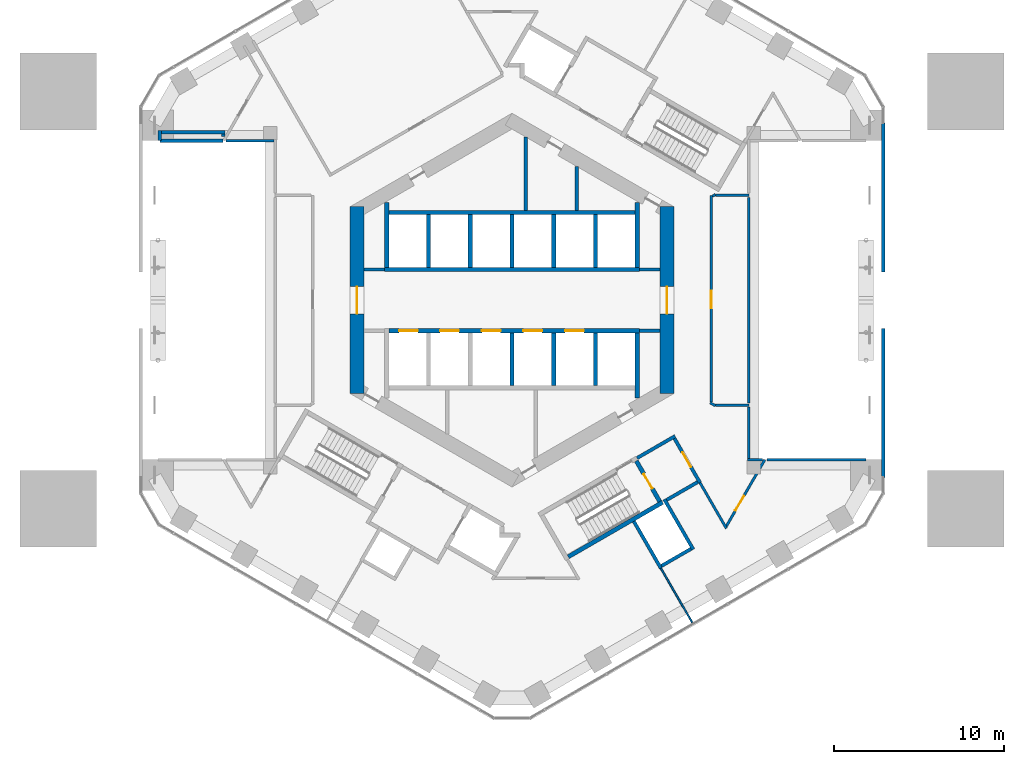
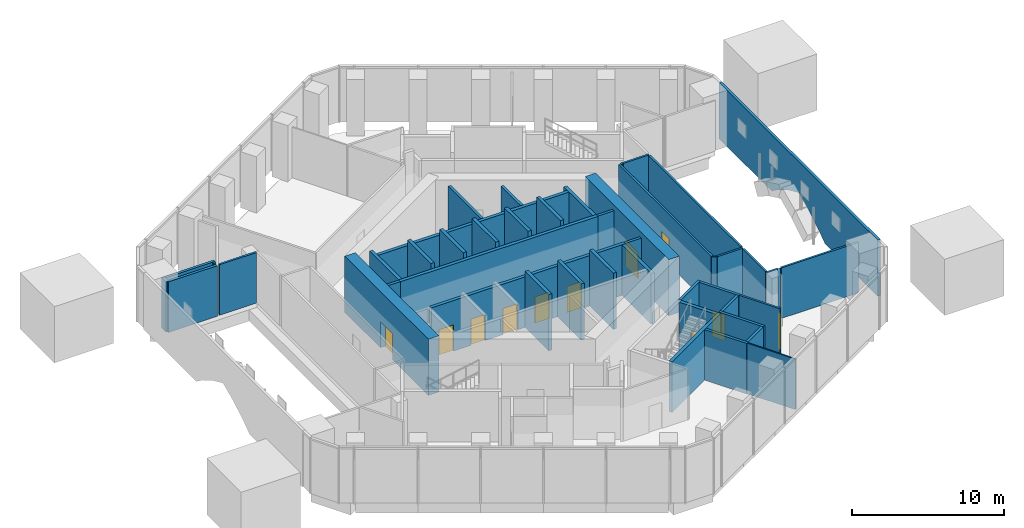
# One storey, part 10 of 14: 47 walls, 11 doors, 11 openings.
"""IFC4 building model written with IfcOpenShell, lengths in metres."""

import ifcopenshell
import ifcopenshell.guid

model = None  # the IFC model being written
_history = None  # IfcOwnerHistory: only IFC2X3 demands one
_inside = {}  # id of a spatial element -> (the spatial element, [elements in it])
_under = {}  # id of a project, library or spatial element -> (it, [spatial elements below it])
_declared = {}  # id of a project -> (the project, [libraries it declares])
_typed = {}  # id of a type object -> (the type object, [elements of that type])
_made_of = {}  # id of a material, layer set ... -> (it, [elements and type objects made of it])


def new_model(schema):
    """Start an empty IFC model of exactly this schema.

    Asked for "IFC4X3", IfcOpenShell would pick the latest addendum, in which some entities
    have other attributes; the version numbers below select the first issue.
    IFC2X3 requires an IfcOwnerHistory on every rooted entity: one is made here for all.
    """
    global model, _history
    if schema == "IFC4X3":
        model = ifcopenshell.file(schema_version=(4, 3, 0, 0))
    else:
        model = ifcopenshell.file(schema=schema)
    _inside.clear()
    _under.clear()
    _declared.clear()
    _typed.clear()
    _made_of.clear()
    _history = None
    if model.schema == "IFC2X3":
        org = make("IfcOrganization", Name="unknown")
        user = make(
            "IfcPersonAndOrganization",
            ThePerson=make("IfcPerson", FamilyName="unknown"),
            TheOrganization=org,
        )
        app = make(
            "IfcApplication",
            ApplicationDeveloper=org,
            Version="unknown",
            ApplicationFullName="unknown",
            ApplicationIdentifier="unknown",
        )
        _history = make(
            "IfcOwnerHistory",
            OwningUser=user,
            OwningApplication=app,
            ChangeAction="ADDED",
            CreationDate=0,
        )
    return model


def make(cls, **values):
    """One entity of the class cls with the attributes given. An attribute that is None is left unset."""
    return model.create_entity(
        cls, **{name: value for name, value in values.items() if value is not None}
    )


def rooted(cls, **values):
    """An entity with a GlobalId (a new one), such as an element, a storey or a relation."""
    return make(cls, GlobalId=ifcopenshell.guid.new(), OwnerHistory=_history, **values)


def si_unit(unit_type, name, prefix=None):
    """IfcSIUnit, for example si_unit("LENGTHUNIT", "METRE", prefix="MILLI")."""
    return make("IfcSIUnit", UnitType=unit_type, Prefix=prefix, Name=name)


def assignment(units):
    """IfcUnitAssignment: the units of a project."""
    return None if units is None else make("IfcUnitAssignment", Units=units)


def point(xyz):
    """IfcCartesianPoint."""
    return None if xyz is None else make("IfcCartesianPoint", Coordinates=xyz)


def direction(xyz):
    """IfcDirection."""
    return None if xyz is None else make("IfcDirection", DirectionRatios=xyz)


def frame(location, z_axis=None, x_axis=None):
    """IfcAxis2Placement3D, a coordinate frame: its origin and axes. An axis left out is left unset."""
    return make(
        "IfcAxis2Placement3D",
        Location=point(location),
        Axis=direction(z_axis),
        RefDirection=direction(x_axis),
    )


def frame_2d(location, x_axis=None):
    """IfcAxis2Placement2D, a coordinate frame in the plane: its origin and x axis."""
    return make(
        "IfcAxis2Placement2D", Location=point(location), RefDirection=direction(x_axis)
    )


def origin():
    """The frame at (0, 0, 0) with its axes left unset."""
    return frame((0.0, 0.0, 0.0))


def place(relative_to, where):
    """IfcLocalPlacement: puts the frame where relative to a parent placement (None: the world)."""
    return make(
        "IfcLocalPlacement", PlacementRelTo=relative_to, RelativePlacement=where
    )


def context(
    kind, dimensions, precision=None, world=None, true_north=None, identifier=None
):
    """IfcGeometricRepresentationContext, for example the 3D "Model" context."""
    return make(
        "IfcGeometricRepresentationContext",
        ContextIdentifier=identifier,
        ContextType=kind,
        CoordinateSpaceDimension=dimensions,
        Precision=precision,
        WorldCoordinateSystem=world,
        TrueNorth=true_north,
    )


def subcontext(parent, identifier, kind, view, scale=None):
    """IfcGeometricRepresentationSubContext, for example "Body" below "Model"."""
    return make(
        "IfcGeometricRepresentationSubContext",
        ContextIdentifier=identifier,
        ContextType=kind,
        ParentContext=parent,
        TargetScale=scale,
        TargetView=view,
    )


def project(units=None, contexts=None):
    """IfcProject with its units and contexts."""
    return rooted(
        "IfcProject",
        Name="project",
        RepresentationContexts=contexts,
        UnitsInContext=assignment(units),
    )


def spatial(cls, under=None, at=None, **own):
    """A site, building, storey or space (cls), placed at a placement, below another one or the project."""
    s = rooted(cls, ObjectPlacement=at, **own)
    if under is not None:
        _under.setdefault(under.id(), (under, []))[1].append(s)
    return s


def polyline(points):
    """IfcPolyline through the points."""
    return make("IfcPolyline", Points=[point(p) for p in points])


def profile(cls, at=None, kind="AREA", **sizes):
    """A parametric profile (cls). Its sizes go by their IFC names, for example OverallWidth=200.0."""
    return make(cls, ProfileType=kind, Position=at, **sizes)


def rectangle(**sizes):
    """IfcRectangleProfileDef."""
    return profile("IfcRectangleProfileDef", **sizes)


def outline(outer, holes=None, kind="AREA"):
    """IfcArbitraryClosedProfileDef: a profile drawn as a closed curve; with holes, ...WithVoids."""
    if holes is None:
        return make("IfcArbitraryClosedProfileDef", ProfileType=kind, OuterCurve=outer)
    return make(
        "IfcArbitraryProfileDefWithVoids",
        ProfileType=kind,
        OuterCurve=outer,
        InnerCurves=holes,
    )


def extrude(swept, where, along, depth):
    """IfcExtrudedAreaSolid: the profile swept, set in the frame where, extruded along a direction by depth."""
    return make(
        "IfcExtrudedAreaSolid",
        SweptArea=swept,
        Position=where,
        ExtrudedDirection=direction(along),
        Depth=depth,
    )


def shape(context_of_items, identifier, shape_type, items):
    """IfcShapeRepresentation: the items that make up one representation, for example the "Body"."""
    return make(
        "IfcShapeRepresentation",
        ContextOfItems=context_of_items,
        RepresentationIdentifier=identifier,
        RepresentationType=shape_type,
        Items=items,
    )


def material(Name=None, Category=None):
    """IfcMaterial."""
    return make("IfcMaterial", Name=Name, Category=Category)


def layer(
    of_material, thickness, ventilated=None, Name=None, Category=None, Priority=None
):
    """IfcMaterialLayer: one layer of a wall or slab, of a material (None: an air gap)."""
    return make(
        "IfcMaterialLayer",
        Material=of_material,
        LayerThickness=thickness,
        IsVentilated=ventilated,
        Name=Name,
        Category=Category,
        Priority=Priority,
    )


def layer_set(layers, Name=None):
    """IfcMaterialLayerSet."""
    return make("IfcMaterialLayerSet", MaterialLayers=layers, LayerSetName=Name)


def made_of(thing, what):
    """Note that an element or type object is made of a material, layer set ...; save() writes the relation."""
    if what is not None:
        _made_of.setdefault(what.id(), (what, []))[1].append(thing)
    return thing


def type_object(cls, material=None, **own):
    """A type object (cls), such as IfcWallType, which elements share."""
    return made_of(rooted(cls, **own), material)


def element(
    cls,
    number,
    at=None,
    inside=None,
    cuts=None,
    type_object=None,
    material=None,
    context=None,
    identifier="Body",
    shape_type=None,
    held_by="IfcProductDefinitionShape",
    body=None,
    shapes=None,
    **own,
):
    """One element of the class cls, such as IfcWall. Its Tag is "e" and its number.

    at: its placement. inside: the storey or other place that contains it. cuts: it is an
    opening in that element (IfcRelVoidsElement). A single representation is given by context,
    identifier, shape_type and body (its items); several are given by shapes. held_by: the class
    of the entity that holds the representations. save() writes the other relations.
    """
    e = rooted(cls, Tag="e%d" % number, ObjectPlacement=at, **own)
    if body is not None:
        shapes = [shape(context, identifier, shape_type, body)]
    if shapes is not None:
        e.Representation = make(held_by, Representations=shapes)
    if inside is not None:
        _inside.setdefault(inside.id(), (inside, []))[1].append(e)
    if cuts is not None:
        rooted(
            "IfcRelVoidsElement", RelatingBuildingElement=cuts, RelatedOpeningElement=e
        )
    if type_object is not None:
        _typed.setdefault(type_object.id(), (type_object, []))[1].append(e)
    return made_of(e, material)


def fill(opening, filler):
    """IfcRelFillsElement: the door or window that sits in an opening."""
    return rooted(
        "IfcRelFillsElement",
        RelatingOpeningElement=opening,
        RelatedBuildingElement=filler,
    )


def aggregate(whole, parts):
    """IfcRelAggregates: a whole, such as a stair, and the parts it consists of."""
    return rooted("IfcRelAggregates", RelatingObject=whole, RelatedObjects=parts)


def save(model, path):
    """Write the relations noted so far, then the file.

    IfcRelAggregates (storeys below a building ...), IfcRelContainedInSpatialStructure (elements
    in a storey), IfcRelDefinesByType, IfcRelAssociatesMaterial and IfcRelDeclares: one each for
    every whole, place, type object, material and project.
    """
    for whole, parts in _under.values():
        aggregate(whole, parts)
    for where, things in _inside.values():
        rooted(
            "IfcRelContainedInSpatialStructure",
            RelatedElements=things,
            RelatingStructure=where,
        )
    for kind, things in _typed.values():
        rooted("IfcRelDefinesByType", RelatedObjects=things, RelatingType=kind)
    for what, things in _made_of.values():
        rooted("IfcRelAssociatesMaterial", RelatedObjects=things, RelatingMaterial=what)
    for by, libraries in _declared.values():
        rooted("IfcRelDeclares", RelatingContext=by, RelatedDefinitions=libraries)
    model.write(path)


model = new_model("IFC4")

# Units and contexts
model_context = context("Model", 3, precision=1e-05, world=origin(), true_north=direction((0.0, 1.0)))
body_context = subcontext(model_context, "Body", "Model", "MODEL_VIEW")
ifc_project = project(units=[si_unit("LENGTHUNIT", "METRE"), si_unit("AREAUNIT", "SQUARE_METRE"), si_unit("VOLUMEUNIT", "CUBIC_METRE"), si_unit("PLANEANGLEUNIT", "RADIAN"), si_unit("MASSUNIT", "GRAM", prefix="KILO")], contexts=[model_context])

# Site, building, storey
site_placement = place(None, origin())
site = spatial("IfcSite", under=ifc_project, at=site_placement, CompositionType="ELEMENT")
building_placement = place(site_placement, origin())
building = spatial("IfcBuilding", under=site, at=building_placement, Name="Ayvan Gate Tower", CompositionType="ELEMENT")
storey_placement = place(building_placement, frame((0.0, 0.0, 16.0)))
storey = spatial("IfcBuildingStorey", under=building, at=storey_placement, Name="L03", CompositionType="ELEMENT", Elevation=16.0)

# Wall
ifc_material_1 = material(Name="Pale metal cladding on insulated wall")
ifc_layer_1 = layer(ifc_material_1, 0.199951171875)
ifc_layer_set_1 = layer_set([ifc_layer_1], Name="Pale metal cladding on insulated wall")
wall_type_1 = type_object("IfcWallType", Name="Arch tympanum wall 200", PredefinedType="SOLIDWALL", material=ifc_layer_set_1)
wall_1_placement = place(storey_placement, frame((21.6845703125, -10.399658203125, 4.5), z_axis=(-1.0, 0.0, 0.0), x_axis=(0.0, 1.0, 0.0)))
element("IfcWall", 1, at=wall_1_placement, inside=storey, type_object=wall_type_1, Name="Arch tympanum wall L03 face 0", PredefinedType="SOLIDWALL", context=body_context, shape_type="SweptSolid", body=[
    extrude(outline(polyline([(0.0, 0.0), (20.79931640625, 0.0), (20.79931640625, 4.5), (13.9052734375, 4.5), (13.04931640625, 3.8779296875), (11.758544921875, 3.123291015625), (10.399658203125, 2.5), (9.040771484375, 3.123291015625), (7.75, 3.8779296875), (6.89404296875, 4.5), (0.0, 4.5), (0.0, 0.0)])), origin(), (0.0, 0.0, -1.0), 0.199951171875),
])

# Wall, opening, door
ifc_material_2 = material(Name="Concrete C70/85", Category="concrete")
ifc_layer_2 = layer(ifc_material_2, 0.800048828125)
ifc_layer_set_2 = layer_set([ifc_layer_2], Name="Concrete C70/85")
wall_type_2 = type_object("IfcWallType", Name="Core wall 800 C70/85", PredefinedType="SHEAR", material=ifc_layer_set_2)
wall_2_placement = place(storey_placement, frame((9.10009765625, -5.48486328125, 0.0), z_axis=(0.0, 0.0, 1.0), x_axis=(0.0, 1.0, 0.0)))
wall_2 = element("IfcWall", 2, at=wall_2_placement, inside=storey, type_object=wall_type_2, Name="CORE-L03-0", PredefinedType="SHEAR", context=body_context, shape_type="SweptSolid", body=[
    extrude(rectangle(XDim=10.9697265625, YDim=0.800048828125, at=frame_2d((5.48486328125, 0.0))), origin(), (0.0, 0.0, 1.0), 4.5),
])
opening_1_placement = place(wall_2_placement, frame((4.684814453125, 0.0, 0.0)))
opening_1 = element("IfcOpeningElement", 3, at=opening_1_placement, cuts=wall_2, Name="Opening L03-D32", PredefinedType="OPENING", context=body_context, shape_type="SweptSolid", body=[
    extrude(rectangle(XDim=1.60009765625, YDim=2.10009765625, at=frame_2d((0.800048828125, 1.050048828125))), frame((0.0, 0.409912109375, 0.0), z_axis=(0.0, -1.0, 0.0), x_axis=(1.0, 0.0, 0.0)), (0.0, 0.0, 1.0), 0.820068359375),
])
ifc_material_3 = material(Name="Timber door leaf", Category="wood")
door_type_1 = type_object("IfcDoorType", Name="DT-1600", OperationType="NOTDEFINED", PredefinedType="DOOR", material=ifc_material_3)
door_1_placement = place(opening_1_placement, origin())
door_1 = element("IfcDoor", 4, at=door_1_placement, inside=storey, type_object=door_type_1, Name="CD-L03-32", OperationType="SINGLE_SWING_LEFT", OverallHeight=2.10009765625, OverallWidth=1.60009765625, PredefinedType="DOOR", context=body_context, shape_type="SweptSolid", body=[
    extrude(rectangle(XDim=1.60009765625, YDim=2.10009765625, at=frame_2d((0.800048828125, 1.050048828125))), frame((0.0, 0.02490234375, 0.0), z_axis=(0.0, -1.0, 0.0), x_axis=(1.0, 0.0, 0.0)), (0.0, 0.0, 1.0), 0.050048828125),
])
fill(opening_1, door_1)

wall_3_placement = place(storey_placement, frame((-9.10009765625, 5.48486328125, 0.0), z_axis=(0.0, 0.0, 1.0), x_axis=(0.0, -1.0, 0.0)))
wall_3 = element("IfcWall", 5, at=wall_3_placement, inside=storey, type_object=wall_type_2, Name="CORE-L03-3", PredefinedType="SHEAR", context=body_context, shape_type="SweptSolid", body=[
    extrude(rectangle(XDim=10.9697265625, YDim=0.800048828125, at=frame_2d((5.48486328125, 0.0))), origin(), (0.0, 0.0, 1.0), 4.5),
])
opening_2_placement = place(wall_3_placement, frame((4.684814453125, 0.0, 0.0)))
opening_2 = element("IfcOpeningElement", 6, at=opening_2_placement, cuts=wall_3, Name="Opening L03-D33", PredefinedType="OPENING", context=body_context, shape_type="SweptSolid", body=[
    extrude(rectangle(XDim=1.60009765625, YDim=2.10009765625, at=frame_2d((0.800048828125, 1.050048828125))), frame((0.0, 0.409912109375, 0.0), z_axis=(0.0, -1.0, 0.0), x_axis=(1.0, 0.0, 0.0)), (0.0, 0.0, 1.0), 0.820068359375),
])
door_2_placement = place(opening_2_placement, origin())
door_2 = element("IfcDoor", 7, at=door_2_placement, inside=storey, type_object=door_type_1, Name="CD-L03-33", OperationType="SINGLE_SWING_RIGHT", OverallHeight=2.10009765625, OverallWidth=1.60009765625, PredefinedType="DOOR", context=body_context, shape_type="SweptSolid", body=[
    extrude(rectangle(XDim=1.60009765625, YDim=2.10009765625, at=frame_2d((0.800048828125, 1.050048828125))), frame((0.0, 0.02490234375, 0.0), z_axis=(0.0, -1.0, 0.0), x_axis=(1.0, 0.0, 0.0)), (0.0, 0.0, 1.0), 0.050048828125),
])
fill(opening_2, door_2)

# Walls
ifc_material_4 = material(Name="Plasterboard on steel stud", Category="steel")
ifc_layer_3 = layer(ifc_material_4, 0.14990234375)
ifc_layer_set_3 = layer_set([ifc_layer_3], Name="Plasterboard on steel stud")
wall_type_3 = type_object("IfcWallType", Name="WT-CORR-150", PredefinedType="PARTITIONING", material=ifc_layer_set_3)
wall_4_placement = place(storey_placement, frame((-13.97509765625, 9.367919921875, 0.0), z_axis=(0.0, 0.0, 1.0), x_axis=(-1.0, 0.0, 0.0)))
element("IfcWall", 8, at=wall_4_placement, inside=storey, type_object=wall_type_3, Name="IW-L03-014", PredefinedType="PARTITIONING", context=body_context, shape_type="SweptSolid", body=[
    extrude(rectangle(XDim=2.804931640625, YDim=0.14990234375, at=frame_2d((1.40234375, 0.0))), origin(), (0.0, 0.0, 1.0), 4.050048828125),
])
wall_5_placement = place(storey_placement, frame((11.635009765625, -6.024658203125, 0.0), z_axis=(0.0, 0.0, 1.0), x_axis=(0.866115353951, -0.499844169366, 0.0)))
element("IfcWall", 9, at=wall_5_placement, inside=storey, type_object=wall_type_3, Name="IW-L03-100", PredefinedType="PARTITIONING", context=body_context, shape_type="SweptSolid", body=[
    extrude(rectangle(XDim=0.34716796875, YDim=0.14990234375, at=frame_2d((0.173583984375, 0.0))), origin(), (0.0, 0.0, 1.0), 4.050048828125),
])

# Wall, opening, door
wall_6_placement = place(storey_placement, frame((11.699951171875, 6.13720703125, 0.0), z_axis=(0.0, 0.0, 1.0), x_axis=(0.0, -1.0, 0.0)))
wall_6 = element("IfcWall", 10, at=wall_6_placement, inside=storey, type_object=wall_type_3, Name="IW-L03-101", PredefinedType="PARTITIONING", context=body_context, shape_type="SweptSolid", body=[
    extrude(rectangle(XDim=12.12451171875, YDim=0.14990234375, at=frame_2d((6.062255859375, 0.0))), origin(), (0.0, 0.0, 1.0), 4.050048828125),
])
opening_3_placement = place(wall_6_placement, frame((5.599609375, 0.0, 0.0)))
opening_3 = element("IfcOpeningElement", 11, at=opening_3_placement, cuts=wall_6, Name="Opening L03-D24", PredefinedType="OPENING", context=body_context, shape_type="SweptSolid", body=[
    extrude(rectangle(XDim=1.0, YDim=2.10009765625, at=frame_2d((0.5, 1.050048828125))), frame((0.0, 0.0849609375, 0.0), z_axis=(0.0, -1.0, 0.0), x_axis=(1.0, 0.0, 0.0)), (0.0, 0.0, 1.0), 0.169921875),
])
door_type_2 = type_object("IfcDoorType", Name="DT-1000", OperationType="NOTDEFINED", PredefinedType="DOOR", material=ifc_material_3)
door_3_placement = place(opening_3_placement, origin())
door_3 = element("IfcDoor", 12, at=door_3_placement, inside=storey, type_object=door_type_2, Name="ID-L03-024", OperationType="SINGLE_SWING_LEFT", OverallHeight=2.10009765625, OverallWidth=1.0, PredefinedType="DOOR", context=body_context, shape_type="SweptSolid", body=[
    extrude(rectangle(XDim=1.0, YDim=2.10009765625, at=frame_2d((0.5, 1.050048828125))), frame((0.0, 0.02490234375, 0.0), z_axis=(0.0, -1.0, 0.0), x_axis=(1.0, 0.0, 0.0)), (0.0, 0.0, 1.0), 0.050048828125),
])
fill(opening_3, door_3)

# Walls
wall_7_placement = place(storey_placement, frame((11.94580078125, -6.160888671875, 0.0), z_axis=(0.0, 0.0, 1.0), x_axis=(1.0, 0.0, 0.0)))
element("IfcWall", 13, at=wall_7_placement, inside=storey, type_object=wall_type_3, Name="IW-L03-102", PredefinedType="PARTITIONING", context=body_context, shape_type="SweptSolid", body=[
    extrude(rectangle(XDim=1.9541015625, YDim=0.14990234375, at=frame_2d((0.97705078125, 0.0))), origin(), (0.0, 0.0, 1.0), 4.050048828125),
])
wall_8_placement = place(storey_placement, frame((11.935791015625, 6.1982421875, 0.0), z_axis=(0.0, 0.0, 1.0), x_axis=(-0.866103179807, -0.499865263774, 0.0)))
element("IfcWall", 14, at=wall_8_placement, inside=storey, type_object=wall_type_3, Name="IW-L03-103", PredefinedType="PARTITIONING", context=body_context, shape_type="SweptSolid", body=[
    extrude(rectangle(XDim=0.197265625, YDim=0.14990234375, at=frame_2d((0.0986328125, 0.0))), origin(), (0.0, 0.0, 1.0), 4.050048828125),
])
wall_9_placement = place(storey_placement, frame((12.586669921875, -13.40087890625, 0.0), z_axis=(0.0, 0.0, 1.0), x_axis=(-0.499952049853, 0.866053086045, 0.0)))
element("IfcWall", 15, at=wall_9_placement, inside=storey, type_object=wall_type_3, Name="IW-L03-105", PredefinedType="PARTITIONING", context=body_context, shape_type="SweptSolid", body=[
    extrude(rectangle(XDim=3.098876953125, YDim=0.14990234375, at=frame_2d((1.54931640625, 0.0))), origin(), (0.0, 0.0, 1.0), 4.050048828125),
])
wall_10_placement = place(storey_placement, frame((13.824951171875, -9.367919921875, 0.0), z_axis=(0.0, 0.0, 1.0), x_axis=(1.0, 0.0, 0.0)))
element("IfcWall", 16, at=wall_10_placement, inside=storey, type_object=wall_type_3, Name="IW-L03-108", PredefinedType="PARTITIONING", context=body_context, shape_type="SweptSolid", body=[
    extrude(rectangle(XDim=0.876708984375, YDim=0.14990234375, at=frame_2d((0.4384765625, 0.0))), origin(), (0.0, 0.0, 1.0), 4.050048828125),
])
wall_11_placement = place(storey_placement, frame((13.89990234375, -6.28076171875, 0.0), z_axis=(0.0, 0.0, 1.0), x_axis=(0.0, -1.0, 0.0)))
element("IfcWall", 17, at=wall_11_placement, inside=storey, type_object=wall_type_3, Name="IW-L03-109", PredefinedType="PARTITIONING", context=body_context, shape_type="SweptSolid", body=[
    extrude(rectangle(XDim=3.01220703125, YDim=0.14990234375, at=frame_2d((1.506103515625, 0.0))), origin(), (0.0, 0.0, 1.0), 4.050048828125),
])
wall_12_placement = place(storey_placement, frame((13.89990234375, 6.040771484375, 0.0), z_axis=(0.0, 0.0, 1.0), x_axis=(0.0, -1.0, 0.0)))
element("IfcWall", 18, at=wall_12_placement, inside=storey, type_object=wall_type_3, Name="IW-L03-110", PredefinedType="PARTITIONING", context=body_context, shape_type="SweptSolid", body=[
    extrude(rectangle(XDim=12.08154296875, YDim=0.14990234375, at=frame_2d((6.040771484375, 0.0))), origin(), (0.0, 0.0, 1.0), 4.050048828125),
])
wall_13_placement = place(storey_placement, frame((13.89990234375, 6.160888671875, 0.0), z_axis=(0.0, 0.0, 1.0), x_axis=(-1.0, 0.0, 0.0)))
element("IfcWall", 19, at=wall_13_placement, inside=storey, type_object=wall_type_3, Name="IW-L03-111", PredefinedType="PARTITIONING", context=body_context, shape_type="SweptSolid", body=[
    extrude(rectangle(XDim=1.9541015625, YDim=0.14990234375, at=frame_2d((0.97705078125, 0.0))), origin(), (0.0, 0.0, 1.0), 4.050048828125),
])

# Wall, opening, door
wall_14_placement = place(storey_placement, frame((14.840087890625, -9.367919921875, 0.0), z_axis=(0.0, 0.0, 1.0), x_axis=(-0.49999598783, -0.866027720199, 0.0)))
wall_14 = element("IfcWall", 20, at=wall_14_placement, inside=storey, type_object=wall_type_3, Name="IW-L03-113", PredefinedType="PARTITIONING", context=body_context, shape_type="SweptSolid", body=[
    extrude(rectangle(XDim=4.5068359375, YDim=0.14990234375, at=frame_2d((2.25341796875, 0.0))), origin(), (0.0, 0.0, 1.0), 4.050048828125),
])
opening_4_placement = place(wall_14_placement, frame((2.453369140625, 0.0, 0.0)))
opening_4 = element("IfcOpeningElement", 21, at=opening_4_placement, cuts=wall_14, Name="Opening L03-D22", PredefinedType="OPENING", context=body_context, shape_type="SweptSolid", body=[
    extrude(rectangle(XDim=1.0, YDim=2.10009765625, at=frame_2d((0.5, 1.050048828125))), frame((0.0, 0.0849609375, 0.0), z_axis=(0.0, -1.0, 0.0), x_axis=(1.0, 0.0, 0.0)), (0.0, 0.0, 1.0), 0.169921875),
])
door_4_placement = place(opening_4_placement, origin())
door_4 = element("IfcDoor", 22, at=door_4_placement, inside=storey, type_object=door_type_2, Name="ID-L03-022", OperationType="SINGLE_SWING_LEFT", OverallHeight=2.10009765625, OverallWidth=1.0, PredefinedType="DOOR", context=body_context, shape_type="SweptSolid", body=[
    extrude(rectangle(XDim=1.0, YDim=2.10009765625, at=frame_2d((0.5, 1.050048828125))), frame((0.0, 0.02490234375, 0.0), z_axis=(0.0, -1.0, 0.0), x_axis=(1.0, 0.0, 0.0)), (0.0, 0.0, 1.0), 0.050048828125),
])
fill(opening_4, door_4)

# Walls
wall_15_placement = place(storey_placement, frame((14.9599609375, -9.367919921875, 0.0), z_axis=(0.0, 0.0, 1.0), x_axis=(1.0, 0.0, 0.0)))
element("IfcWall", 23, at=wall_15_placement, inside=storey, type_object=wall_type_3, Name="IW-L03-114", PredefinedType="PARTITIONING", context=body_context, shape_type="SweptSolid", body=[
    extrude(rectangle(XDim=5.82470703125, YDim=0.14990234375, at=frame_2d((2.912353515625, 0.0))), origin(), (0.0, 0.0, 1.0), 4.050048828125),
])
ifc_layer_4 = layer(ifc_material_4, 0.10009765625)
ifc_layer_set_4 = layer_set([ifc_layer_4], Name="Plasterboard on steel stud")
wall_type_4 = type_object("IfcWallType", Name="WT-PART-100", PredefinedType="PARTITIONING", material=ifc_layer_set_4)
wall_16_placement = place(storey_placement, frame((8.739990234375, -15.73828125, 0.0), z_axis=(0.0, 0.0, 1.0), x_axis=(0.500026738915, -0.866009965514, 0.0)))
element("IfcWall", 24, at=wall_16_placement, inside=storey, type_object=wall_type_4, Name="IW-L03-091", PredefinedType="PARTITIONING", context=body_context, shape_type="SweptSolid", body=[
    extrude(rectangle(XDim=3.680908203125, YDim=0.10009765625, at=frame_2d((1.84033203125, 0.0))), origin(), (0.0, 0.0, 1.0), 4.050048828125),
])
ifc_layer_5 = layer(ifc_material_4, 0.199951171875)
ifc_layer_set_5 = layer_set([ifc_layer_5], Name="Plasterboard on steel stud")
wall_type_5 = type_object("IfcWallType", Name="WT-PLUMB-200", PredefinedType="PLUMBINGWALL", material=ifc_layer_set_5)
wall_17_placement = place(storey_placement, frame((-20.6845703125, 9.367919921875, 0.0), z_axis=(0.0, 0.0, 1.0), x_axis=(0.0, 1.0, 0.0)))
element("IfcWall", 25, at=wall_17_placement, inside=storey, type_object=wall_type_5, Name="IW-L03-001", PredefinedType="PLUMBINGWALL", context=body_context, shape_type="SweptSolid", body=[
    extrude(rectangle(XDim=0.60009765625, YDim=0.199951171875, at=frame_2d((0.300048828125, 0.0))), origin(), (0.0, 0.0, 1.0), 4.050048828125),
])
wall_18_placement = place(storey_placement, frame((-20.584716796875, 9.867919921875, 0.0), z_axis=(0.0, 0.0, 1.0), x_axis=(1.0, 0.0, 0.0)))
element("IfcWall", 26, at=wall_18_placement, inside=storey, type_object=wall_type_5, Name="IW-L03-002", PredefinedType="PLUMBINGWALL", context=body_context, shape_type="SweptSolid", body=[
    extrude(rectangle(XDim=3.736083984375, YDim=0.199951171875, at=frame_2d((1.8681640625, 0.0))), origin(), (0.0, 0.0, 1.0), 4.050048828125),
])
wall_19_placement = place(storey_placement, frame((-16.968505859375, 9.367919921875, 0.0), z_axis=(0.0, 0.0, 1.0), x_axis=(-1.0, 0.0, 0.0)))
element("IfcWall", 27, at=wall_19_placement, inside=storey, type_object=wall_type_5, Name="IW-L03-003", PredefinedType="PLUMBINGWALL", context=body_context, shape_type="SweptSolid", body=[
    extrude(rectangle(XDim=3.696044921875, YDim=0.199951171875, at=frame_2d((1.84814453125, 0.0))), origin(), (0.0, 0.0, 1.0), 4.050048828125),
])
wall_20_placement = place(storey_placement, frame((-16.948486328125, 9.767822265625, 0.0), z_axis=(0.0, 0.0, 1.0), x_axis=(0.0, -1.0, 0.0)))
element("IfcWall", 28, at=wall_20_placement, inside=storey, type_object=wall_type_5, Name="IW-L03-004", PredefinedType="PLUMBINGWALL", context=body_context, shape_type="SweptSolid", body=[
    extrude(rectangle(XDim=0.159912109375, YDim=0.199951171875, at=frame_2d((0.080078125, 0.0))), origin(), (0.0, 0.0, 1.0), 4.050048828125),
])
wall_21_placement = place(storey_placement, frame((8.740234375, -15.738525390625, 0.0), z_axis=(0.0, 0.0, 1.0), x_axis=(-0.500017526161, 0.866015284814, 0.0)))
element("IfcWall", 29, at=wall_21_placement, inside=storey, type_object=wall_type_5, Name="IW-L03-092", PredefinedType="PLUMBINGWALL", context=body_context, shape_type="SweptSolid", body=[
    extrude(rectangle(XDim=3.17529296875, YDim=0.199951171875, at=frame_2d((1.587646484375, 0.0))), origin(), (0.0, 0.0, 1.0), 4.050048828125),
])
wall_22_placement = place(storey_placement, frame((8.9453125, -11.694091796875, 0.0), z_axis=(0.0, 0.0, 1.0), x_axis=(0.500062241894, -0.865989465428, 0.0)))
element("IfcWall", 30, at=wall_22_placement, inside=storey, type_object=wall_type_5, Name="IW-L03-094", PredefinedType="PLUMBINGWALL", context=body_context, shape_type="SweptSolid", body=[
    extrude(rectangle(XDim=3.39990234375, YDim=0.199951171875, at=frame_2d((1.699951171875, 0.0))), origin(), (0.0, 0.0, 1.0), 4.050048828125),
])
wall_23_placement = place(storey_placement, frame((10.5087890625, -14.601806640625, 0.0), z_axis=(0.0, 0.0, 1.0), x_axis=(-0.866010750942, -0.50002537861, 0.0)))
element("IfcWall", 31, at=wall_23_placement, inside=storey, type_object=wall_type_5, Name="IW-L03-098", PredefinedType="PLUMBINGWALL", context=body_context, shape_type="SweptSolid", body=[
    extrude(rectangle(XDim=2.0, YDim=0.199951171875, at=frame_2d((1.0, 0.0))), origin(), (0.0, 0.0, 1.0), 4.050048828125),
])
ifc_layer_6 = layer(ifc_material_4, 0.199951171875)
ifc_layer_set_6 = layer_set([ifc_layer_6], Name="Plasterboard on steel stud")
wall_type_6 = type_object("IfcWallType", Name="WT-RATED-200", PredefinedType="PARTITIONING", material=ifc_layer_set_6)
wall_24_placement = place(storey_placement, frame((-8.699951171875, 1.800048828125, 0.0), z_axis=(0.0, 0.0, 1.0), x_axis=(1.0, 0.0, 0.0)))
element("IfcWall", 32, at=wall_24_placement, inside=storey, type_object=wall_type_6, Name="IW-L03-025", PredefinedType="PARTITIONING", context=body_context, shape_type="SweptSolid", body=[
    extrude(rectangle(XDim=1.22509765625, YDim=0.199951171875, at=frame_2d((0.612548828125, 0.0))), origin(), (0.0, 0.0, 1.0), 4.050048828125),
])
wall_25_placement = place(storey_placement, frame((0.800048828125, 9.583984375, 0.0), z_axis=(0.0, 0.0, 1.0), x_axis=(0.0, -1.0, 0.0)))
element("IfcWall", 33, at=wall_25_placement, inside=storey, type_object=wall_type_6, Name="IW-L03-064", PredefinedType="PARTITIONING", context=body_context, shape_type="SweptSolid", body=[
    extrude(rectangle(XDim=4.30908203125, YDim=0.199951171875, at=frame_2d((2.154541015625, 0.0))), origin(), (0.0, 0.0, 1.0), 4.050048828125),
])
wall_26_placement = place(storey_placement, frame((3.800048828125, 7.85205078125, 0.0), z_axis=(0.0, 0.0, 1.0), x_axis=(0.0, -1.0, 0.0)))
element("IfcWall", 34, at=wall_26_placement, inside=storey, type_object=wall_type_6, Name="IW-L03-075", PredefinedType="PARTITIONING", context=body_context, shape_type="SweptSolid", body=[
    extrude(rectangle(XDim=2.5771484375, YDim=0.199951171875, at=frame_2d((1.28857421875, 0.0))), origin(), (0.0, 0.0, 1.0), 4.050048828125),
])
wall_27_placement = place(storey_placement, frame((7.343994140625, -9.27001953125, 0.0), z_axis=(0.0, 0.0, 1.0), x_axis=(0.866005588531, 0.500034319456, 0.0)))
element("IfcWall", 35, at=wall_27_placement, inside=storey, type_object=wall_type_6, Name="IW-L03-085", PredefinedType="PARTITIONING", context=body_context, shape_type="SweptSolid", body=[
    extrude(rectangle(XDim=2.574951171875, YDim=0.199951171875, at=frame_2d((1.28759765625, 0.0))), origin(), (0.0, 0.0, 1.0), 4.050048828125),
])
for number, where, z_axis, x_axis, name in (
    (36, (7.474853515625, 1.800048828125, 0.0), (0.0, 0.0, 1.0), (1.0, 0.0, 0.0), "IW-L03-086"),
    (37, (8.699951171875, -1.800048828125, 0.0), (0.0, 0.0, 1.0), (-1.0, 0.0, 0.0), "IW-L03-093"),
):
    element("IfcWall", number, at=place(storey_placement, frame(where, z_axis=z_axis, x_axis=x_axis)), inside=storey, type_object=wall_type_6, Name=name, PredefinedType="PARTITIONING", context=body_context, shape_type="SweptSolid", body=[
        extrude(rectangle(XDim=1.22509765625, YDim=0.199951171875, at=frame_2d((0.612548828125, 0.0))), origin(), (0.0, 0.0, 1.0), 4.050048828125),
    ])

# Wall, opening, door
wall_28_placement = place(storey_placement, frame((9.537353515625, -8.119140625, 0.0), z_axis=(0.0, 0.0, 1.0), x_axis=(0.499990139034, -0.866031096941, 0.0)))
wall_28 = element("IfcWall", 38, at=wall_28_placement, inside=storey, type_object=wall_type_6, Name="IW-L03-096", PredefinedType="PARTITIONING", context=body_context, shape_type="SweptSolid", body=[
    extrude(rectangle(XDim=3.0, YDim=0.199951171875, at=frame_2d((1.5, 0.0))), origin(), (0.0, 0.0, 1.0), 4.050048828125),
])
opening_5_placement = place(wall_28_placement, frame((0.93505859375, 0.0, 0.0)))
opening_5 = element("IfcOpeningElement", 39, at=opening_5_placement, cuts=wall_28, Name="Opening L03-D15", PredefinedType="OPENING", context=body_context, shape_type="SweptSolid", body=[
    extrude(rectangle(XDim=1.0, YDim=2.10009765625, at=frame_2d((0.5, 1.050048828125))), frame((0.0, 0.10986328125, 0.0), z_axis=(0.0, -1.0, 0.0), x_axis=(1.0, 0.0, 0.0)), (0.0, 0.0, 1.0), 0.219970703125),
])
door_5_placement = place(opening_5_placement, origin())
door_5 = element("IfcDoor", 40, at=door_5_placement, inside=storey, type_object=door_type_2, Name="ID-L03-015", OperationType="SINGLE_SWING_RIGHT", OverallHeight=2.10009765625, OverallWidth=1.0, PredefinedType="DOOR", context=body_context, shape_type="SweptSolid", body=[
    extrude(rectangle(XDim=1.0, YDim=2.10009765625, at=frame_2d((0.5, 1.050048828125))), frame((0.0, 0.02490234375, 0.0), z_axis=(0.0, -1.0, 0.0), x_axis=(1.0, 0.0, 0.0)), (0.0, 0.0, 1.0), 0.050048828125),
])
fill(opening_5, door_5)

# Walls
wall_29_placement = place(storey_placement, frame((10.900634765625, -10.6806640625, 0.0), z_axis=(0.0, 0.0, 1.0), x_axis=(-0.866009402589, -0.500027713859, 0.0)))
element("IfcWall", 41, at=wall_29_placement, inside=storey, type_object=wall_type_6, Name="IW-L03-099", PredefinedType="PARTITIONING", context=body_context, shape_type="SweptSolid", body=[
    extrude(rectangle(XDim=2.10009765625, YDim=0.199951171875, at=frame_2d((1.050048828125, 0.0))), origin(), (0.0, 0.0, 1.0), 4.050048828125),
])
ifc_material_5 = material(Name="Concrete C50/60", Category="concrete")
ifc_layer_7 = layer(ifc_material_5, 0.25)
ifc_layer_set_7 = layer_set([ifc_layer_7], Name="Concrete C50/60")
wall_type_7 = type_object("IfcWallType", Name="WT-RC-250", PredefinedType="SHEAR", material=ifc_layer_set_7)
wall_30_placement = place(storey_placement, frame((-7.47509765625, 1.800048828125, 0.0), z_axis=(0.0, 0.0, 1.0), x_axis=(1.0, 0.0, 0.0)))
element("IfcWall", 42, at=wall_30_placement, inside=storey, type_object=wall_type_7, Name="IW-L03-029", PredefinedType="SHEAR", context=body_context, shape_type="SweptSolid", body=[
    extrude(rectangle(XDim=14.9501953125, YDim=0.25, at=frame_2d((7.47509765625, 0.0))), origin(), (0.0, 0.0, 1.0), 4.050048828125),
])
wall_31_placement = place(storey_placement, frame((-7.35009765625, 1.925048828125, 0.0), z_axis=(0.0, 0.0, 1.0), x_axis=(0.0, 1.0, 0.0)))
element("IfcWall", 43, at=wall_31_placement, inside=storey, type_object=wall_type_7, Name="IW-L03-031", PredefinedType="SHEAR", context=body_context, shape_type="SweptSolid", body=[
    extrude(rectangle(XDim=3.80517578125, YDim=0.25, at=frame_2d((1.902587890625, 0.0))), origin(), (0.0, 0.0, 1.0), 4.050048828125),
])
wall_32_placement = place(storey_placement, frame((-7.22509765625, 5.14990234375, 0.0), z_axis=(0.0, 0.0, 1.0), x_axis=(1.0, 0.0, 0.0)))
element("IfcWall", 44, at=wall_32_placement, inside=storey, type_object=wall_type_7, Name="IW-L03-032", PredefinedType="SHEAR", context=body_context, shape_type="SweptSolid", body=[
    extrude(rectangle(XDim=14.7001953125, YDim=0.25, at=frame_2d((7.35009765625, 0.0))), origin(), (0.0, 0.0, 1.0), 4.050048828125),
])
wall_33_placement = place(storey_placement, frame((-4.89990234375, 5.02490234375, 0.0), z_axis=(0.0, 0.0, 1.0), x_axis=(0.0, -1.0, 0.0)))
element("IfcWall", 45, at=wall_33_placement, inside=storey, type_object=wall_type_7, Name="IW-L03-042", PredefinedType="SHEAR", context=body_context, shape_type="SweptSolid", body=[
    extrude(rectangle(XDim=3.099853515625, YDim=0.25, at=frame_2d((1.5498046875, 0.0))), origin(), (0.0, 0.0, 1.0), 4.5),
])

# Wall, openings, doors
wall_34_placement = place(storey_placement, frame((-7.22509765625, -1.800048828125, 0.0), z_axis=(0.0, 0.0, 1.0), x_axis=(1.0, 0.0, 0.0)))
wall_34 = element("IfcWall", 46, at=wall_34_placement, inside=storey, type_object=wall_type_7, Name="IW-L03-043", PredefinedType="SHEAR", context=body_context, shape_type="SweptSolid", body=[
    extrude(rectangle(XDim=14.7001953125, YDim=0.25, at=frame_2d((7.35009765625, 0.0))), origin(), (0.0, 0.0, 1.0), 4.050048828125),
])
opening_6_placement = place(wall_34_placement, frame((0.597412109375, 0.0, 0.0)))
opening_6 = element("IfcOpeningElement", 47, at=opening_6_placement, cuts=wall_34, Name="Opening L03-LD-LR1", PredefinedType="OPENING", context=body_context, shape_type="SweptSolid", body=[
    extrude(rectangle(XDim=1.10009765625, YDim=2.10009765625, at=frame_2d((0.550048828125, 1.050048828125))), frame((0.0, 0.135009765625, 0.0), z_axis=(0.0, -1.0, 0.0), x_axis=(1.0, 0.0, 0.0)), (0.0, 0.0, 1.0), 0.27001953125),
])
opening_7_placement = place(wall_34_placement, frame((3.0, 0.0, 0.0)))
opening_7 = element("IfcOpeningElement", 48, at=opening_7_placement, cuts=wall_34, Name="Opening L03-LD-LR2", PredefinedType="OPENING", context=body_context, shape_type="SweptSolid", body=[
    extrude(rectangle(XDim=1.10009765625, YDim=2.10009765625, at=frame_2d((0.550048828125, 1.050048828125))), frame((0.0, 0.135009765625, 0.0), z_axis=(0.0, -1.0, 0.0), x_axis=(1.0, 0.0, 0.0)), (0.0, 0.0, 1.0), 0.27001953125),
])
opening_8_placement = place(wall_34_placement, frame((5.4501953125, 0.0, 0.0)))
opening_8 = element("IfcOpeningElement", 49, at=opening_8_placement, cuts=wall_34, Name="Opening L03-LD-LR3", PredefinedType="OPENING", context=body_context, shape_type="SweptSolid", body=[
    extrude(rectangle(XDim=1.10009765625, YDim=2.10009765625, at=frame_2d((0.550048828125, 1.050048828125))), frame((0.0, 0.135009765625, 0.0), z_axis=(0.0, -1.0, 0.0), x_axis=(1.0, 0.0, 0.0)), (0.0, 0.0, 1.0), 0.27001953125),
])
opening_9_placement = place(wall_34_placement, frame((7.900146484375, 0.0, 0.0)))
opening_9 = element("IfcOpeningElement", 50, at=opening_9_placement, cuts=wall_34, Name="Opening L03-LD-LR4", PredefinedType="OPENING", context=body_context, shape_type="SweptSolid", body=[
    extrude(rectangle(XDim=1.10009765625, YDim=2.10009765625, at=frame_2d((0.550048828125, 1.050048828125))), frame((0.0, 0.135009765625, 0.0), z_axis=(0.0, -1.0, 0.0), x_axis=(1.0, 0.0, 0.0)), (0.0, 0.0, 1.0), 0.27001953125),
])
opening_10_placement = place(wall_34_placement, frame((10.35009765625, 0.0, 0.0)))
opening_10 = element("IfcOpeningElement", 51, at=opening_10_placement, cuts=wall_34, Name="Opening L03-LD-SV", PredefinedType="OPENING", context=body_context, shape_type="SweptSolid", body=[
    extrude(rectangle(XDim=1.10009765625, YDim=2.10009765625, at=frame_2d((0.550048828125, 1.050048828125))), frame((0.0, 0.135009765625, 0.0), z_axis=(0.0, -1.0, 0.0), x_axis=(1.0, 0.0, 0.0)), (0.0, 0.0, 1.0), 0.27001953125),
])
ifc_material_6 = material(Name="Stainless steel landing door", Category="steel")
door_type_3 = type_object("IfcDoorType", Name="DT-LANDING-1100", OperationType="SLIDING_TO_LEFT", PredefinedType="DOOR", material=ifc_material_6)
door_6_placement = place(opening_6_placement, origin())
door_6 = element("IfcDoor", 52, at=door_6_placement, inside=storey, type_object=door_type_3, Name="ID-L03-001", OperationType="SLIDING_TO_LEFT", OverallHeight=2.10009765625, OverallWidth=1.10009765625, PredefinedType="DOOR", context=body_context, shape_type="SweptSolid", body=[
    extrude(rectangle(XDim=1.10009765625, YDim=2.10009765625, at=frame_2d((0.550048828125, 1.050048828125))), frame((0.0, 0.02490234375, 0.0), z_axis=(0.0, -1.0, 0.0), x_axis=(1.0, 0.0, 0.0)), (0.0, 0.0, 1.0), 0.050048828125),
])
fill(opening_6, door_6)
door_7_placement = place(opening_7_placement, origin())
door_7 = element("IfcDoor", 53, at=door_7_placement, inside=storey, type_object=door_type_3, Name="ID-L03-002", OperationType="SLIDING_TO_LEFT", OverallHeight=2.10009765625, OverallWidth=1.10009765625, PredefinedType="DOOR", context=body_context, shape_type="SweptSolid", body=[
    extrude(rectangle(XDim=1.10009765625, YDim=2.10009765625, at=frame_2d((0.550048828125, 1.050048828125))), frame((0.0, 0.02490234375, 0.0), z_axis=(0.0, -1.0, 0.0), x_axis=(1.0, 0.0, 0.0)), (0.0, 0.0, 1.0), 0.050048828125),
])
fill(opening_7, door_7)
door_8_placement = place(opening_8_placement, origin())
door_8 = element("IfcDoor", 54, at=door_8_placement, inside=storey, type_object=door_type_3, Name="ID-L03-003", OperationType="SLIDING_TO_LEFT", OverallHeight=2.10009765625, OverallWidth=1.10009765625, PredefinedType="DOOR", context=body_context, shape_type="SweptSolid", body=[
    extrude(rectangle(XDim=1.10009765625, YDim=2.10009765625, at=frame_2d((0.550048828125, 1.050048828125))), frame((0.0, 0.02490234375, 0.0), z_axis=(0.0, -1.0, 0.0), x_axis=(1.0, 0.0, 0.0)), (0.0, 0.0, 1.0), 0.050048828125),
])
fill(opening_8, door_8)
door_9_placement = place(opening_9_placement, origin())
door_9 = element("IfcDoor", 55, at=door_9_placement, inside=storey, type_object=door_type_3, Name="ID-L03-004", OperationType="SLIDING_TO_LEFT", OverallHeight=2.10009765625, OverallWidth=1.10009765625, PredefinedType="DOOR", context=body_context, shape_type="SweptSolid", body=[
    extrude(rectangle(XDim=1.10009765625, YDim=2.10009765625, at=frame_2d((0.550048828125, 1.050048828125))), frame((0.0, 0.02490234375, 0.0), z_axis=(0.0, -1.0, 0.0), x_axis=(1.0, 0.0, 0.0)), (0.0, 0.0, 1.0), 0.050048828125),
])
fill(opening_9, door_9)
door_10_placement = place(opening_10_placement, origin())
door_10 = element("IfcDoor", 56, at=door_10_placement, inside=storey, type_object=door_type_3, Name="ID-L03-005", OperationType="SLIDING_TO_LEFT", OverallHeight=2.10009765625, OverallWidth=1.10009765625, PredefinedType="DOOR", context=body_context, shape_type="SweptSolid", body=[
    extrude(rectangle(XDim=1.10009765625, YDim=2.10009765625, at=frame_2d((0.550048828125, 1.050048828125))), frame((0.0, 0.02490234375, 0.0), z_axis=(0.0, -1.0, 0.0), x_axis=(1.0, 0.0, 0.0)), (0.0, 0.0, 1.0), 0.050048828125),
])
fill(opening_10, door_10)

# Walls
for number, where, z_axis, x_axis, name in (
    (57, (-2.449951171875, 5.02490234375, 0.0), (0.0, 0.0, 1.0), (0.0, -1.0, 0.0), "IW-L03-051"),
    (58, (0.0, -1.925048828125, 0.0), (0.0, 0.0, 1.0), (0.0, -1.0, 0.0), "IW-L03-059"),
    (59, (0.0, 5.02490234375, 0.0), (0.0, 0.0, 1.0), (0.0, -1.0, 0.0), "IW-L03-060"),
    (60, (2.449951171875, -1.925048828125, 0.0), (0.0, 0.0, 1.0), (0.0, -1.0, 0.0), "IW-L03-069"),
    (61, (2.449951171875, 5.02490234375, 0.0), (0.0, 0.0, 1.0), (0.0, -1.0, 0.0), "IW-L03-070"),
    (62, (4.89990234375, -1.925048828125, 0.0), (0.0, 0.0, 1.0), (0.0, -1.0, 0.0), "IW-L03-079"),
    (63, (4.89990234375, 5.02490234375, 0.0), (0.0, 0.0, 1.0), (0.0, -1.0, 0.0), "IW-L03-080"),
):
    element("IfcWall", number, at=place(storey_placement, frame(where, z_axis=z_axis, x_axis=x_axis)), inside=storey, type_object=wall_type_7, Name=name, PredefinedType="SHEAR", context=body_context, shape_type="SweptSolid", body=[
        extrude(rectangle(XDim=3.099853515625, YDim=0.25, at=frame_2d((1.5498046875, 0.0))), origin(), (0.0, 0.0, 1.0), 4.5),
    ])
wall_35_placement = place(storey_placement, frame((3.30126953125, -15.068115234375, 0.0), z_axis=(0.0, 0.0, 1.0), x_axis=(0.866035036182, 0.499983315828, 0.0)))
element("IfcWall", 64, at=wall_35_placement, inside=storey, type_object=wall_type_7, Name="IW-L03-083", PredefinedType="SHEAR", context=body_context, shape_type="SweptSolid", body=[
    extrude(rectangle(XDim=6.400146484375, YDim=0.25, at=frame_2d((3.2001953125, 0.0))), origin(), (0.0, 0.0, 1.0), 4.050048828125),
])

# Wall, opening, door
wall_36_placement = place(storey_placement, frame((7.298095703125, -9.44091796875, 0.0), z_axis=(0.0, 0.0, 1.0), x_axis=(0.500034990121, -0.866005201286, 0.0)))
wall_36 = element("IfcWall", 65, at=wall_36_placement, inside=storey, type_object=wall_type_7, Name="IW-L03-084", PredefinedType="SHEAR", context=body_context, shape_type="SweptSolid", body=[
    extrude(rectangle(XDim=2.749755859375, YDim=0.25, at=frame_2d((1.375, 0.0))), origin(), (0.0, 0.0, 1.0), 4.050048828125),
])
opening_11_placement = place(wall_36_placement, frame((0.875, 0.0, 0.0)))
opening_11 = element("IfcOpeningElement", 66, at=opening_11_placement, cuts=wall_36, Name="Opening L03-D16", PredefinedType="OPENING", context=body_context, shape_type="SweptSolid", body=[
    extrude(rectangle(XDim=1.0, YDim=2.10009765625, at=frame_2d((0.5, 1.050048828125))), frame((0.0, 0.135009765625, 0.0), z_axis=(0.0, -1.0, 0.0), x_axis=(1.0, 0.0, 0.0)), (0.0, 0.0, 1.0), 0.27001953125),
])
door_11_placement = place(opening_11_placement, origin())
door_11 = element("IfcDoor", 67, at=door_11_placement, inside=storey, type_object=door_type_2, Name="ID-L03-016", OperationType="SINGLE_SWING_LEFT", OverallHeight=2.10009765625, OverallWidth=1.0, PredefinedType="DOOR", context=body_context, shape_type="SweptSolid", body=[
    extrude(rectangle(XDim=1.0, YDim=2.10009765625, at=frame_2d((0.5, 1.050048828125))), frame((0.0, 0.02490234375, 0.0), z_axis=(0.0, -1.0, 0.0), x_axis=(1.0, 0.0, 0.0)), (0.0, 0.0, 1.0), 0.050048828125),
])
fill(opening_11, door_11)

# Walls
for number, where, z_axis, x_axis, name in (
    (68, (7.35009765625, -1.925048828125, 0.0), (0.0, 0.0, 1.0), (0.0, -1.0, 0.0), "IW-L03-087"),
    (69, (7.35009765625, 5.730224609375, 0.0), (0.0, 0.0, 1.0), (0.0, -1.0, 0.0), "IW-L03-088"),
):
    element("IfcWall", number, at=place(storey_placement, frame(where, z_axis=z_axis, x_axis=x_axis)), inside=storey, type_object=wall_type_7, Name=name, PredefinedType="SHEAR", context=body_context, shape_type="SweptSolid", body=[
        extrude(rectangle(XDim=3.80517578125, YDim=0.25, at=frame_2d((1.902587890625, 0.0))), origin(), (0.0, 0.0, 1.0), 4.050048828125),
    ])

save(model, "model.ifc")
